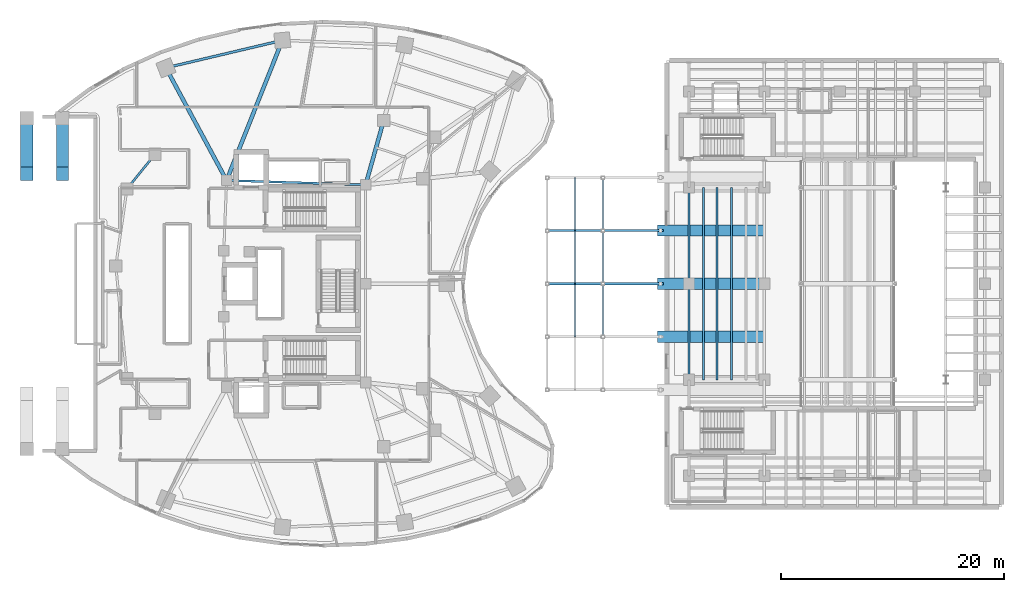
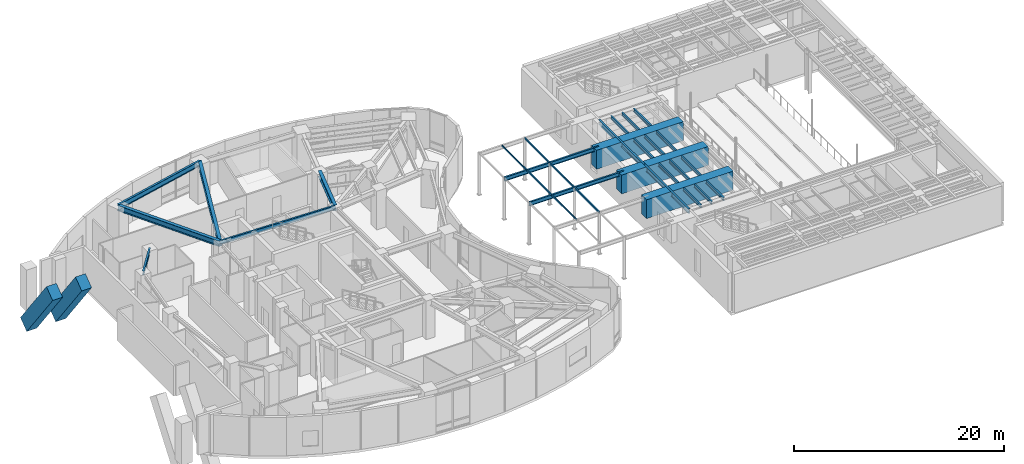
# One storey, part 9 of 24: 20 beams, 6 members.
"""IFC4 building model written with IfcOpenShell, lengths in metres."""

from ifc_helpers import new_model, si_unit, direction, frame, origin, origin_2d, place, context, subcontext, project, spatial, rectangle, hollow_rectangle, i_section, extrude, material, material_profile, profile_set, type_object, element, save


model = new_model("IFC4")

# Units and contexts
model_context = context("Model", 3, precision=1e-05, world=origin(), true_north=direction((0.0, 1.0)))
body_context = subcontext(model_context, "Body", "Model", "MODEL_VIEW")
ifc_project = project(units=[si_unit("LENGTHUNIT", "METRE"), si_unit("AREAUNIT", "SQUARE_METRE"), si_unit("VOLUMEUNIT", "CUBIC_METRE"), si_unit("PLANEANGLEUNIT", "RADIAN"), si_unit("MASSUNIT", "GRAM", prefix="KILO")], contexts=[model_context])

# Site, building, storey
site_placement = place(None, origin())
site = spatial("IfcSite", under=ifc_project, at=site_placement, CompositionType="ELEMENT")
building_placement = place(site_placement, origin())
building = spatial("IfcBuilding", under=site, at=building_placement, Name="Korentha Bioscience Tower", CompositionType="ELEMENT")
storey_placement = place(building_placement, frame((0.0, 0.0, 5.39990234375)))
storey = spatial("IfcBuildingStorey", under=building, at=storey_placement, Name="L01", CompositionType="ELEMENT", Elevation=5.39990234375)

# Members
ifc_material_1 = material(Name="Steel S355", Category="steel")
ifc_material_profile_1 = material_profile(ifc_material_1, hollow_rectangle(XDim=0.1201171875, YDim=0.199951171875, WallThickness=0.010009765625, at=origin_2d()), Name="Steel S355")
ifc_profile_set_1 = profile_set([ifc_material_profile_1], Name="Steel S355 (AC-P200)")
member_type_1 = type_object("IfcMemberType", Name="Arcade Canopy Purlin RHS 200x120x10", PredefinedType="PURLIN", material=ifc_profile_set_1)
for number, where, z_axis, x_axis, name in (
    (1, (58.800048828125, 22.25, 4.460205078125), (0.0, 1.0, 0.0), (-1.0, 0.0, 0.0), "L01 Arcade Canopy Purlin 2-E"),
    (2, (58.800048828125, 27.0, 4.460205078125), (0.0, 1.0, 0.0), (-1.0, 0.0, 0.0), "L01 Arcade Canopy Purlin 3-E"),
    (3, (58.800048828125, 31.75, 4.460205078125), (0.0, 1.0, 0.0), (-1.0, 0.0, 0.0), "L01 Arcade Canopy Purlin 4-E"),
):
    element("IfcMember", number, at=place(storey_placement, frame(where, z_axis=z_axis, x_axis=x_axis)), inside=storey, type_object=member_type_1, Name=name, PredefinedType="PURLIN", context=body_context, shape_type="SweptSolid", body=[
        extrude(hollow_rectangle(XDim=0.1201171875, YDim=0.199951171875, WallThickness=0.010009765625, at=origin_2d()), origin(), (0.0, 0.0, 1.0), 4.75),
    ])

# Beams
ifc_material_profile_2 = material_profile(ifc_material_1, i_section(OverallWidth=0.18994140625, OverallDepth=0.45703125, WebThickness=0.009033203125, FlangeThickness=0.014404296875, at=origin_2d()), Name="Steel S355")
ifc_profile_set_2 = profile_set([ifc_material_profile_2], Name="Steel S355 (AB-460)")
beam_type_1 = type_object("IfcBeamType", Name="Arcade Canopy Roof Girder W460x74", PredefinedType="BEAM", material=ifc_profile_set_2)
beam_1_placement = place(storey_placement, frame((53.800048828125, 27.0, 4.33154296875), z_axis=(1.0, 0.0, 0.0), x_axis=(0.0, 1.0, 0.0)))
element("IfcBeam", 4, at=beam_1_placement, inside=storey, type_object=beam_type_1, Name="L01 Arcade West Span Girder 03", PredefinedType="BEAM", context=body_context, shape_type="SweptSolid", body=[
    extrude(i_section(OverallWidth=0.18994140625, OverallDepth=0.45703125, WebThickness=0.009033203125, FlangeThickness=0.014404296875, at=origin_2d()), origin(), (0.0, 0.0, 1.0), 5.0),
])
beam_2_placement = place(storey_placement, frame((58.800048828125, 27.0, 4.33154296875), z_axis=(1.0, 0.0, 0.0), x_axis=(0.0, 1.0, 0.0)))
element("IfcBeam", 5, at=beam_2_placement, inside=storey, type_object=beam_type_1, Name="L01 Arcade Joint Span Girder 03", PredefinedType="BEAM", context=body_context, shape_type="SweptSolid", body=[
    extrude(i_section(OverallWidth=0.18994140625, OverallDepth=0.45703125, WebThickness=0.009033203125, FlangeThickness=0.014404296875, at=origin_2d()), origin(), (0.0, 0.0, 1.0), 5.409912109375),
])
beam_3_placement = place(storey_placement, frame((53.800048828125, 31.75, 4.33154296875), z_axis=(1.0, 0.0, 0.0), x_axis=(0.0, 1.0, 0.0)))
element("IfcBeam", 6, at=beam_3_placement, inside=storey, type_object=beam_type_1, Name="L01 Arcade West Span Girder 04", PredefinedType="BEAM", context=body_context, shape_type="SweptSolid", body=[
    extrude(i_section(OverallWidth=0.18994140625, OverallDepth=0.45703125, WebThickness=0.009033203125, FlangeThickness=0.014404296875, at=origin_2d()), origin(), (0.0, 0.0, 1.0), 5.0),
])
beam_4_placement = place(storey_placement, frame((58.800048828125, 31.75, 4.33154296875), z_axis=(1.0, 0.0, 0.0), x_axis=(0.0, 1.0, 0.0)))
element("IfcBeam", 7, at=beam_4_placement, inside=storey, type_object=beam_type_1, Name="L01 Arcade Joint Span Girder 04", PredefinedType="BEAM", context=body_context, shape_type="SweptSolid", body=[
    extrude(i_section(OverallWidth=0.18994140625, OverallDepth=0.45703125, WebThickness=0.009033203125, FlangeThickness=0.014404296875, at=origin_2d()), origin(), (0.0, 0.0, 1.0), 5.409912109375),
])

# Members
ifc_material_profile_3 = material_profile(ifc_material_1, hollow_rectangle(XDim=0.10009765625, YDim=0.179931640625, WallThickness=0.008056640625, at=origin_2d()), Name="Steel S355")
ifc_profile_set_3 = profile_set([ifc_material_profile_3], Name="Steel S355 (AC-P180)")
member_type_2 = type_object("IfcMemberType", Name="Canopy Secondary Sub-Purlin RHS 180x100x8", PredefinedType="PURLIN", material=ifc_profile_set_3)
for number, where, z_axis, x_axis, name in (
    (8, (56.300048828125, 22.25, 4.47021484375), (0.0, 1.0, 0.0), (-1.0, 0.0, 0.0), "L01 Arcade Canopy Purlin 2-M"),
    (9, (56.300048828125, 27.0, 4.47021484375), (0.0, 1.0, 0.0), (-1.0, 0.0, 0.0), "L01 Arcade Canopy Purlin 3-M"),
    (10, (56.300048828125, 31.75, 4.47021484375), (0.0, 1.0, 0.0), (-1.0, 0.0, 0.0), "L01 Arcade Canopy Purlin 4-M"),
):
    element("IfcMember", number, at=place(storey_placement, frame(where, z_axis=z_axis, x_axis=x_axis)), inside=storey, type_object=member_type_2, Name=name, PredefinedType="PURLIN", context=body_context, shape_type="SweptSolid", body=[
        extrude(hollow_rectangle(XDim=0.10009765625, YDim=0.179931640625, WallThickness=0.008056640625, at=origin_2d()), origin(), (0.0, 0.0, 1.0), 4.75),
    ])

# Beams
ifc_material_profile_4 = material_profile(ifc_material_1, i_section(OverallWidth=0.18994140625, OverallDepth=0.45703125, WebThickness=0.009033203125, FlangeThickness=0.014404296875, at=origin_2d()), Name="Steel S355")
ifc_profile_set_4 = profile_set([ifc_material_profile_4], Name="Steel S355 (MB-460)")
beam_type_2 = type_object("IfcBeamType", Name="Mid-Ring Tie Girder W460x74", PredefinedType="BEAM", material=ifc_profile_set_4)
beam_5_placement = place(storey_placement, frame((18.692138671875, 38.5947265625, 4.271484375), z_axis=(-0.629790009744, -0.776765436684, 0.0), x_axis=(0.776765436684, -0.629790009744, 0.0)))
element("IfcBeam", 11, at=beam_5_placement, inside=storey, type_object=beam_type_2, Name="L01 Mid-Ring Tie Girder 05", PredefinedType="BEAM", context=body_context, shape_type="SweptSolid", body=[
    extrude(i_section(OverallWidth=0.18994140625, OverallDepth=0.45703125, WebThickness=0.009033203125, FlangeThickness=0.014404296875, at=origin_2d()), origin(), (0.0, 0.0, 1.0), 3.998291015625),
])
beam_6_placement = place(storey_placement, frame((37.550048828125, 35.85009765625, 4.271484375), z_axis=(-0.999484526071, 0.032104238723, 0.0), x_axis=(-0.032104238723, -0.999484526071, 0.0)))
element("IfcBeam", 12, at=beam_6_placement, inside=storey, type_object=beam_type_2, Name="L01 Core Ring Tie Girder 01", PredefinedType="BEAM", context=body_context, shape_type="SweptSolid", body=[
    extrude(i_section(OverallWidth=0.18994140625, OverallDepth=0.45703125, WebThickness=0.009033203125, FlangeThickness=0.014404296875, at=origin_2d()), origin(), (0.0, 0.0, 1.0), 12.456298828125),
])
ifc_material_2 = material(Name="Concrete C80", Category="concrete")
ifc_material_profile_5 = material_profile(ifc_material_2, rectangle(XDim=1.10009765625, YDim=1.5, at=origin_2d()), Name="Concrete C80")
ifc_profile_set_5 = profile_set([ifc_material_profile_5], Name="Concrete C80 (AR-B1)")
beam_type_3 = type_object("IfcBeamType", Name="Parabolic Arch Rib Upper Chord 1500x1100", PredefinedType="USERDEFINED", material=ifc_profile_set_5)
for number, where, z_axis, x_axis, name in (
    (13, (7.199951171875, 36.85009765625, 4.400146484375), (0.0, 0.599990530317, -0.800007102175), (-1.0, 0.0, 0.0), "Parabolic Arch Rib Segment 1-6"),
    (14, (10.39990234375, 36.85009765625, 4.400146484375), (0.0, 0.599990530317, -0.800007102175), (-1.0, 0.0, 0.0), "Parabolic Arch Rib Segment 2-6"),
):
    element("IfcBeam", number, at=place(storey_placement, frame(where, z_axis=z_axis, x_axis=x_axis)), inside=storey, type_object=beam_type_3, Name=name, ObjectType="ARCH_RIB", PredefinedType="USERDEFINED", context=body_context, shape_type="SweptSolid", body=[
        extrude(rectangle(XDim=1.10009765625, YDim=1.5, at=origin_2d()), origin(), (0.0, 0.0, 1.0), 8.25),
    ])
ifc_material_profile_6 = material_profile(ifc_material_1, i_section(OverallWidth=0.208984375, OverallDepth=0.532958984375, WebThickness=0.01025390625, FlangeThickness=0.015625, at=origin_2d()), Name="Steel S355")
ifc_profile_set_6 = profile_set([ifc_material_profile_6], Name="Steel S355 (SB-530)")
beam_type_4 = type_object("IfcBeamType", Name="Perimeter Ring Spandrel Girder W530x92", PredefinedType="SPANDREL", material=ifc_profile_set_6)
for number, where, z_axis, x_axis, name in (
    (15, (66.5, 18.39990234375, 4.233642578125), (0.0, 1.0, 0.0), (-1.0, 0.0, 0.0), "L01 Theatre Collector Girder 1-4"),
    (16, (66.5, 27.0, 4.233642578125), (0.0, 1.0, 0.0), (-1.0, 0.0, 0.0), "L01 Theatre Collector Girder 1-5"),
):
    element("IfcBeam", number, at=place(storey_placement, frame(where, z_axis=z_axis, x_axis=x_axis)), inside=storey, type_object=beam_type_4, Name=name, PredefinedType="SPANDREL", context=body_context, shape_type="SweptSolid", body=[
        extrude(i_section(OverallWidth=0.208984375, OverallDepth=0.532958984375, WebThickness=0.01025390625, FlangeThickness=0.015625, at=origin_2d()), origin(), (0.0, 0.0, 1.0), 8.60009765625),
    ])
ifc_material_profile_7 = material_profile(ifc_material_1, i_section(OverallWidth=0.22802734375, OverallDepth=0.60791015625, WebThickness=0.01123046875, FlangeThickness=0.017333984375, at=origin_2d()), Name="Steel S355")
ifc_profile_set_7 = profile_set([ifc_material_profile_7], Name="Steel S355 (SB-610)")
beam_type_5 = type_object("IfcBeamType", Name="Perimeter Ring Spandrel Girder W610x113", PredefinedType="SPANDREL", material=ifc_profile_set_7)
beam_7_placement = place(storey_placement, frame((30.09423828125, 48.79248046875, 4.196044921875), z_axis=(-0.973207885376, -0.229926970672, 0.0), x_axis=(0.229926970672, -0.973207885376, 0.0)))
element("IfcBeam", 17, at=beam_7_placement, inside=storey, type_object=beam_type_5, Name="L01 Perimeter Spandrel Girder 03", PredefinedType="SPANDREL", context=body_context, shape_type="SweptSolid", body=[
    extrude(i_section(OverallWidth=0.22802734375, OverallDepth=0.60791015625, WebThickness=0.01123046875, FlangeThickness=0.017333984375, at=origin_2d()), origin(), (0.0, 0.0, 1.0), 10.71484375),
])
ifc_material_profile_8 = material_profile(ifc_material_1, i_section(OverallWidth=0.35009765625, OverallDepth=0.64990234375, WebThickness=0.01611328125, FlangeThickness=0.02490234375, at=origin_2d()), Name="Steel S355")
ifc_profile_set_8 = profile_set([ifc_material_profile_8], Name="Steel S355 (RB-650)")
beam_type_6 = type_object("IfcBeamType", Name="Radial Laboratory Girder CVS 650x208", PredefinedType="BEAM", material=ifc_profile_set_8)
beam_8_placement = place(storey_placement, frame((37.550048828125, 35.85009765625, 4.175048828125), z_axis=(0.269469369205, 0.963008961049, 0.0), x_axis=(-0.963008961049, 0.269469369205, 0.0)))
element("IfcBeam", 18, at=beam_8_placement, inside=storey, type_object=beam_type_6, Name="L01 Inner Radial Girder 02", PredefinedType="BEAM", context=body_context, shape_type="SweptSolid", body=[
    extrude(i_section(OverallWidth=0.35009765625, OverallDepth=0.64990234375, WebThickness=0.01611328125, FlangeThickness=0.02490234375, at=origin_2d()), origin(), (0.0, 0.0, 1.0), 5.978759765625),
])
beam_9_placement = place(storey_placement, frame((25.10009765625, 36.25, 4.175048828125), z_axis=(0.369931007413, 0.929059228335, 0.0), x_axis=(-0.929059228335, 0.369931007413, 0.0)))
element("IfcBeam", 19, at=beam_9_placement, inside=storey, type_object=beam_type_6, Name="L01 Radial Girder 03", PredefinedType="BEAM", context=body_context, shape_type="SweptSolid", body=[
    extrude(i_section(OverallWidth=0.35009765625, OverallDepth=0.64990234375, WebThickness=0.01611328125, FlangeThickness=0.02490234375, at=origin_2d()), origin(), (0.0, 0.0, 1.0), 13.500244140625),
])
beam_10_placement = place(storey_placement, frame((25.10009765625, 36.25, 4.175048828125), z_axis=(-0.47454097106, 0.880233416081, 0.0), x_axis=(-0.880233416081, -0.47454097106, 0.0)))
element("IfcBeam", 20, at=beam_10_placement, inside=storey, type_object=beam_type_6, Name="L01 Radial Girder 04", PredefinedType="BEAM", context=body_context, shape_type="SweptSolid", body=[
    extrude(i_section(OverallWidth=0.35009765625, OverallDepth=0.64990234375, WebThickness=0.01611328125, FlangeThickness=0.02490234375, at=origin_2d()), origin(), (0.0, 0.0, 1.0), 11.4501953125),
])
ifc_material_profile_9 = material_profile(ifc_material_1, i_section(OverallWidth=0.1708984375, OverallDepth=0.35498046875, WebThickness=0.007080078125, FlangeThickness=0.01171875, at=origin_2d()), Name="Steel S355")
ifc_profile_set_9 = profile_set([ifc_material_profile_9], Name="Steel S355 (JB-360)")
beam_type_7 = type_object("IfcBeamType", Name="Secondary Laboratory Joist W360x51", PredefinedType="JOIST", material=ifc_profile_set_9)
for number, where, z_axis, x_axis, name in (
    (21, (67.800048828125, 18.39990234375, 4.322509765625), (0.0, 1.0, 0.0), (-1.0, 0.0, 0.0), "L01 Theatre Foyer Longitudinal Joist 01"),
    (22, (69.0, 18.39990234375, 4.322509765625), (0.0, 1.0, 0.0), (-1.0, 0.0, 0.0), "L01 Theatre Foyer Longitudinal Joist 02"),
    (23, (70.300048828125, 18.39990234375, 4.322509765625), (0.0, 1.0, 0.0), (-1.0, 0.0, 0.0), "L01 Theatre Foyer Longitudinal Joist 03"),
):
    element("IfcBeam", number, at=place(storey_placement, frame(where, z_axis=z_axis, x_axis=x_axis)), inside=storey, type_object=beam_type_7, Name=name, PredefinedType="JOIST", context=body_context, shape_type="SweptSolid", body=[
        extrude(i_section(OverallWidth=0.1708984375, OverallDepth=0.35498046875, WebThickness=0.007080078125, FlangeThickness=0.01171875, at=origin_2d()), origin(), (0.0, 0.0, 1.0), 17.2001953125),
    ])
ifc_material_3 = material(Name="Concrete C50", Category="concrete")
ifc_material_profile_10 = material_profile(ifc_material_3, rectangle(XDim=1.0, YDim=2.199951171875, at=origin_2d()), Name="Concrete C50")
ifc_profile_set_10 = profile_set([ifc_material_profile_10], Name="Concrete C50 (TCB-01)")
beam_type_8 = type_object("IfcBeamType", Name="Theatre Joint Corbel Beam RC 1000x2200", PredefinedType="BEAM", material=ifc_profile_set_10)
for number, where, z_axis, x_axis, name in (
    (24, (63.699951171875, 22.25, 3.400146484375), (1.0, 0.0, 0.0), (0.0, 1.0, 0.0), "L01 Theatre Movement-Joint Corbel 02"),
    (25, (63.699951171875, 27.0, 3.400146484375), (1.0, 0.0, 0.0), (0.0, 1.0, 0.0), "L01 Theatre Movement-Joint Corbel 03"),
    (26, (63.699951171875, 31.75, 3.400146484375), (1.0, 0.0, 0.0), (0.0, 1.0, 0.0), "L01 Theatre Movement-Joint Corbel 04"),
):
    element("IfcBeam", number, at=place(storey_placement, frame(where, z_axis=z_axis, x_axis=x_axis)), inside=storey, type_object=beam_type_8, Name=name, PredefinedType="BEAM", context=body_context, shape_type="SweptSolid", body=[
        extrude(rectangle(XDim=1.0, YDim=2.199951171875, at=origin_2d()), origin(), (0.0, 0.0, 1.0), 9.550048828125),
    ])

save(model, "model.ifc")
